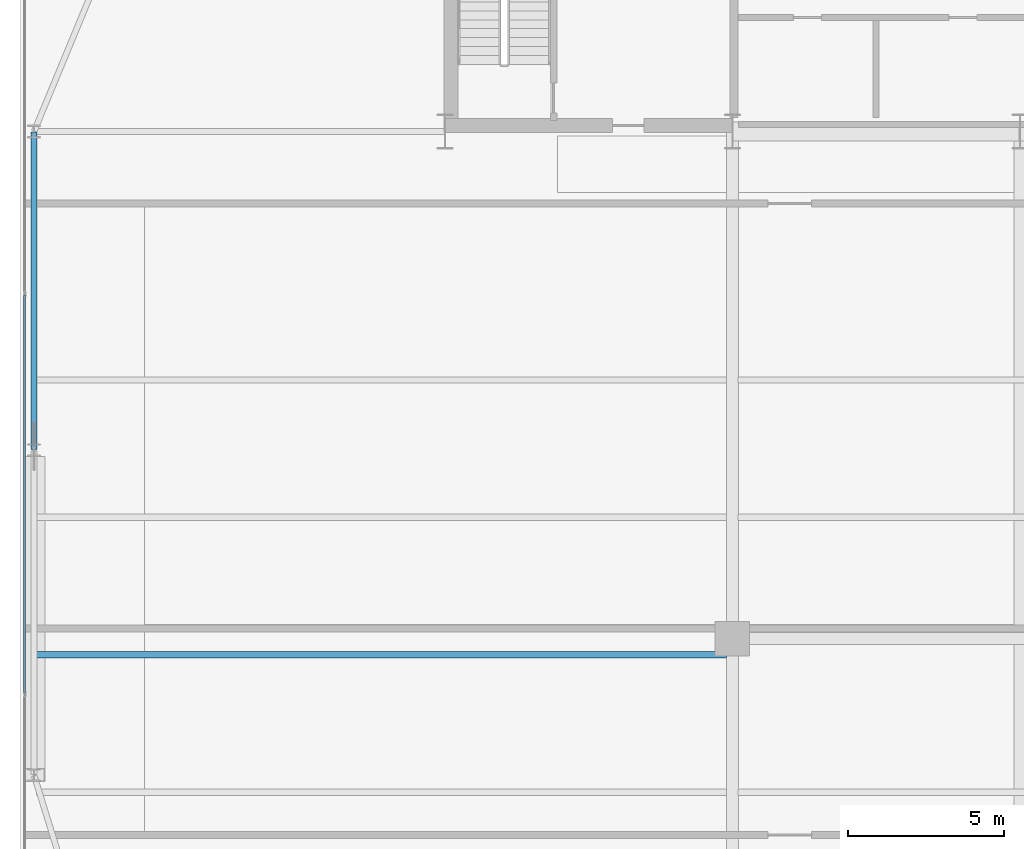
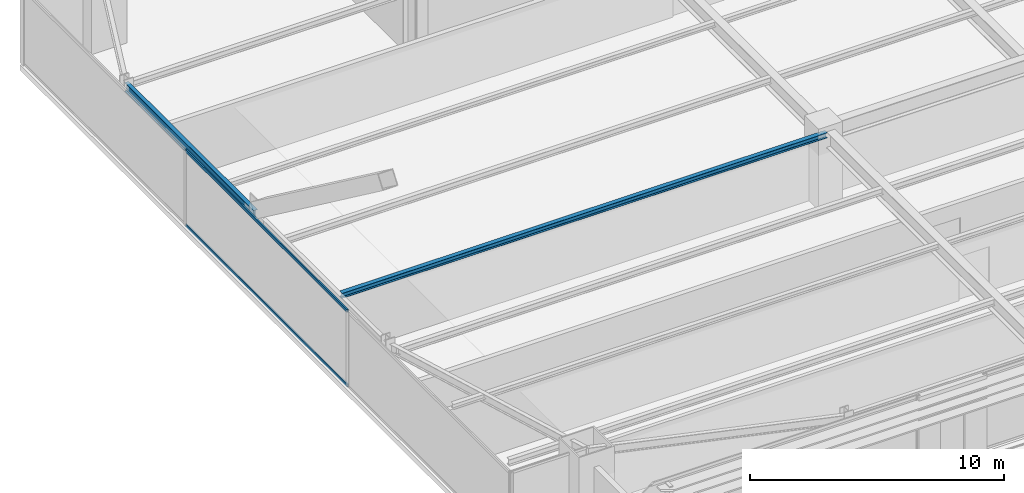
# One storey, part 9 of 34: 2 beams, 2 members, 1 element without a shape of its own.
"""IFC4 building model written with IfcOpenShell, lengths in metres."""

import ifcopenshell
import ifcopenshell.guid

model = None  # the IFC model being written
_history = None  # IfcOwnerHistory: only IFC2X3 demands one
_inside = {}  # id of a spatial element -> (the spatial element, [elements in it])
_under = {}  # id of a project, library or spatial element -> (it, [spatial elements below it])
_declared = {}  # id of a project -> (the project, [libraries it declares])
_typed = {}  # id of a type object -> (the type object, [elements of that type])
_made_of = {}  # id of a material, layer set ... -> (it, [elements and type objects made of it])


def new_model(schema):
    """Start an empty IFC model of exactly this schema.

    Asked for "IFC4X3", IfcOpenShell would pick the latest addendum, in which some entities
    have other attributes; the version numbers below select the first issue.
    IFC2X3 requires an IfcOwnerHistory on every rooted entity: one is made here for all.
    """
    global model, _history
    if schema == "IFC4X3":
        model = ifcopenshell.file(schema_version=(4, 3, 0, 0))
    else:
        model = ifcopenshell.file(schema=schema)
    _inside.clear()
    _under.clear()
    _declared.clear()
    _typed.clear()
    _made_of.clear()
    _history = None
    if model.schema == "IFC2X3":
        org = make("IfcOrganization", Name="unknown")
        user = make(
            "IfcPersonAndOrganization",
            ThePerson=make("IfcPerson", FamilyName="unknown"),
            TheOrganization=org,
        )
        app = make(
            "IfcApplication",
            ApplicationDeveloper=org,
            Version="unknown",
            ApplicationFullName="unknown",
            ApplicationIdentifier="unknown",
        )
        _history = make(
            "IfcOwnerHistory",
            OwningUser=user,
            OwningApplication=app,
            ChangeAction="ADDED",
            CreationDate=0,
        )
    return model


def make(cls, **values):
    """One entity of the class cls with the attributes given. An attribute that is None is left unset."""
    return model.create_entity(
        cls, **{name: value for name, value in values.items() if value is not None}
    )


def rooted(cls, **values):
    """An entity with a GlobalId (a new one), such as an element, a storey or a relation."""
    return make(cls, GlobalId=ifcopenshell.guid.new(), OwnerHistory=_history, **values)


def si_unit(unit_type, name, prefix=None):
    """IfcSIUnit, for example si_unit("LENGTHUNIT", "METRE", prefix="MILLI")."""
    return make("IfcSIUnit", UnitType=unit_type, Prefix=prefix, Name=name)


def assignment(units):
    """IfcUnitAssignment: the units of a project."""
    return None if units is None else make("IfcUnitAssignment", Units=units)


def point(xyz):
    """IfcCartesianPoint."""
    return None if xyz is None else make("IfcCartesianPoint", Coordinates=xyz)


def direction(xyz):
    """IfcDirection."""
    return None if xyz is None else make("IfcDirection", DirectionRatios=xyz)


def frame(location, z_axis=None, x_axis=None):
    """IfcAxis2Placement3D, a coordinate frame: its origin and axes. An axis left out is left unset."""
    return make(
        "IfcAxis2Placement3D",
        Location=point(location),
        Axis=direction(z_axis),
        RefDirection=direction(x_axis),
    )


def frame_2d(location, x_axis=None):
    """IfcAxis2Placement2D, a coordinate frame in the plane: its origin and x axis."""
    return make(
        "IfcAxis2Placement2D", Location=point(location), RefDirection=direction(x_axis)
    )


def origin():
    """The frame at (0, 0, 0) with its axes left unset."""
    return frame((0.0, 0.0, 0.0))


def origin_2d():
    """The frame at (0, 0) in the plane with its x axis left unset."""
    return frame_2d((0.0, 0.0))


def place(relative_to, where):
    """IfcLocalPlacement: puts the frame where relative to a parent placement (None: the world)."""
    return make(
        "IfcLocalPlacement", PlacementRelTo=relative_to, RelativePlacement=where
    )


def context(
    kind, dimensions, precision=None, world=None, true_north=None, identifier=None
):
    """IfcGeometricRepresentationContext, for example the 3D "Model" context."""
    return make(
        "IfcGeometricRepresentationContext",
        ContextIdentifier=identifier,
        ContextType=kind,
        CoordinateSpaceDimension=dimensions,
        Precision=precision,
        WorldCoordinateSystem=world,
        TrueNorth=true_north,
    )


def subcontext(parent, identifier, kind, view, scale=None):
    """IfcGeometricRepresentationSubContext, for example "Body" below "Model"."""
    return make(
        "IfcGeometricRepresentationSubContext",
        ContextIdentifier=identifier,
        ContextType=kind,
        ParentContext=parent,
        TargetScale=scale,
        TargetView=view,
    )


def project(units=None, contexts=None):
    """IfcProject with its units and contexts."""
    return rooted(
        "IfcProject",
        Name="project",
        RepresentationContexts=contexts,
        UnitsInContext=assignment(units),
    )


def spatial(cls, under=None, at=None, **own):
    """A site, building, storey or space (cls), placed at a placement, below another one or the project."""
    s = rooted(cls, ObjectPlacement=at, **own)
    if under is not None:
        _under.setdefault(under.id(), (under, []))[1].append(s)
    return s


def profile(cls, at=None, kind="AREA", **sizes):
    """A parametric profile (cls). Its sizes go by their IFC names, for example OverallWidth=200.0."""
    return make(cls, ProfileType=kind, Position=at, **sizes)


def hollow_rectangle(**sizes):
    """IfcRectangleHollowProfileDef."""
    return profile("IfcRectangleHollowProfileDef", **sizes)


def i_section(**sizes):
    """IfcIShapeProfileDef."""
    return profile("IfcIShapeProfileDef", **sizes)


def extrude(swept, where, along, depth):
    """IfcExtrudedAreaSolid: the profile swept, set in the frame where, extruded along a direction by depth."""
    return make(
        "IfcExtrudedAreaSolid",
        SweptArea=swept,
        Position=where,
        ExtrudedDirection=direction(along),
        Depth=depth,
    )


def shape(context_of_items, identifier, shape_type, items):
    """IfcShapeRepresentation: the items that make up one representation, for example the "Body"."""
    return make(
        "IfcShapeRepresentation",
        ContextOfItems=context_of_items,
        RepresentationIdentifier=identifier,
        RepresentationType=shape_type,
        Items=items,
    )


def source(mapping_origin, context_of_items, identifier, shape_type, items):
    """IfcRepresentationMap: a shape defined once, which mapped items show again and again."""
    return make(
        "IfcRepresentationMap",
        MappingOrigin=mapping_origin,
        MappedRepresentation=shape(context_of_items, identifier, shape_type, items),
    )


def transform(
    local_origin,
    x_axis=None,
    y_axis=None,
    z_axis=None,
    scale=None,
    scale2=None,
    scale3=None,
    uniform=True,
):
    """IfcCartesianTransformationOperator3D, or its non-uniform kind. x_axis, y_axis, z_axis: its Axis1, 2, 3."""
    if uniform:
        return make(
            "IfcCartesianTransformationOperator3D",
            Axis1=direction(x_axis),
            Axis2=direction(y_axis),
            LocalOrigin=point(local_origin),
            Scale=scale,
            Axis3=direction(z_axis),
        )
    return make(
        "IfcCartesianTransformationOperator3DnonUniform",
        Axis1=direction(x_axis),
        Axis2=direction(y_axis),
        LocalOrigin=point(local_origin),
        Scale=scale,
        Axis3=direction(z_axis),
        Scale2=scale2,
        Scale3=scale3,
    )


def mapped(mapping_source, mapping_target):
    """IfcMappedItem: shows the shape of a source again, moved by a transform."""
    return make(
        "IfcMappedItem", MappingSource=mapping_source, MappingTarget=mapping_target
    )


def material(Name=None, Category=None):
    """IfcMaterial."""
    return make("IfcMaterial", Name=Name, Category=Category)


def layer(
    of_material, thickness, ventilated=None, Name=None, Category=None, Priority=None
):
    """IfcMaterialLayer: one layer of a wall or slab, of a material (None: an air gap)."""
    return make(
        "IfcMaterialLayer",
        Material=of_material,
        LayerThickness=thickness,
        IsVentilated=ventilated,
        Name=Name,
        Category=Category,
        Priority=Priority,
    )


def layer_set(layers, Name=None):
    """IfcMaterialLayerSet."""
    return make("IfcMaterialLayerSet", MaterialLayers=layers, LayerSetName=Name)


def material_profile(
    of_material, cross_section, Name=None, Category=None, Priority=None
):
    """IfcMaterialProfile: a cross section and its material."""
    return make(
        "IfcMaterialProfile",
        Name=Name,
        Material=of_material,
        Profile=cross_section,
        Priority=Priority,
        Category=Category,
    )


def profile_set(profiles, Name=None, composite=None):
    """IfcMaterialProfileSet."""
    return make(
        "IfcMaterialProfileSet",
        Name=Name,
        MaterialProfiles=profiles,
        CompositeProfile=composite,
    )


def made_of(thing, what):
    """Note that an element or type object is made of a material, layer set ...; save() writes the relation."""
    if what is not None:
        _made_of.setdefault(what.id(), (what, []))[1].append(thing)
    return thing


def type_object(cls, material=None, **own):
    """A type object (cls), such as IfcWallType, which elements share."""
    return made_of(rooted(cls, **own), material)


def type_shapes(of_type, sources):
    """Give a type object the sources (RepresentationMaps) that its elements show as mapped items."""
    of_type.RepresentationMaps = sources


def element(
    cls,
    number,
    at=None,
    inside=None,
    cuts=None,
    type_object=None,
    material=None,
    context=None,
    identifier="Body",
    shape_type=None,
    held_by="IfcProductDefinitionShape",
    body=None,
    shapes=None,
    **own,
):
    """One element of the class cls, such as IfcWall. Its Tag is "e" and its number.

    at: its placement. inside: the storey or other place that contains it. cuts: it is an
    opening in that element (IfcRelVoidsElement). A single representation is given by context,
    identifier, shape_type and body (its items); several are given by shapes. held_by: the class
    of the entity that holds the representations. save() writes the other relations.
    """
    e = rooted(cls, Tag="e%d" % number, ObjectPlacement=at, **own)
    if body is not None:
        shapes = [shape(context, identifier, shape_type, body)]
    if shapes is not None:
        e.Representation = make(held_by, Representations=shapes)
    if inside is not None:
        _inside.setdefault(inside.id(), (inside, []))[1].append(e)
    if cuts is not None:
        rooted(
            "IfcRelVoidsElement", RelatingBuildingElement=cuts, RelatedOpeningElement=e
        )
    if type_object is not None:
        _typed.setdefault(type_object.id(), (type_object, []))[1].append(e)
    return made_of(e, material)


def aggregate(whole, parts):
    """IfcRelAggregates: a whole, such as a stair, and the parts it consists of."""
    return rooted("IfcRelAggregates", RelatingObject=whole, RelatedObjects=parts)


def save(model, path):
    """Write the relations noted so far, then the file.

    IfcRelAggregates (storeys below a building ...), IfcRelContainedInSpatialStructure (elements
    in a storey), IfcRelDefinesByType, IfcRelAssociatesMaterial and IfcRelDeclares: one each for
    every whole, place, type object, material and project.
    """
    for whole, parts in _under.values():
        aggregate(whole, parts)
    for where, things in _inside.values():
        rooted(
            "IfcRelContainedInSpatialStructure",
            RelatedElements=things,
            RelatingStructure=where,
        )
    for kind, things in _typed.values():
        rooted("IfcRelDefinesByType", RelatedObjects=things, RelatingType=kind)
    for what, things in _made_of.values():
        rooted("IfcRelAssociatesMaterial", RelatedObjects=things, RelatingMaterial=what)
    for by, libraries in _declared.values():
        rooted("IfcRelDeclares", RelatingContext=by, RelatedDefinitions=libraries)
    model.write(path)


model = new_model("IFC4")

# Units and contexts
model_context = context("Model", 3, precision=1e-05, world=origin(), true_north=direction((0.0, 1.0)))
body_context = subcontext(model_context, "Body", "Model", "MODEL_VIEW")
ifc_project = project(units=[si_unit("LENGTHUNIT", "METRE"), si_unit("AREAUNIT", "SQUARE_METRE"), si_unit("VOLUMEUNIT", "CUBIC_METRE"), si_unit("PLANEANGLEUNIT", "RADIAN"), si_unit("MASSUNIT", "GRAM", prefix="KILO")], contexts=[model_context])

# Site, building, storey
site_placement = place(None, origin())
site = spatial("IfcSite", under=ifc_project, at=site_placement, CompositionType="ELEMENT")
building_placement = place(site_placement, origin())
building = spatial("IfcBuilding", under=site, at=building_placement, Name="Varnel Quay Broadcast Tower", CompositionType="ELEMENT")
storey_placement = place(building_placement, frame((0.0, 0.0, 47.10009765625)))
storey = spatial("IfcBuildingStorey", under=building, at=storey_placement, Name="L10", CompositionType="ELEMENT", Elevation=47.10009765625)

# Beams
ifc_material_1 = material(Name="Structural Steel CSA G40.21 350W", Category="steel")
ifc_material_profile_1 = material_profile(ifc_material_1, i_section(OverallWidth=0.180908203125, OverallDepth=0.4169921875, WebThickness=0.010986328125, FlangeThickness=0.018310546875, FilletRadius=0.011962890625, at=origin_2d()), Name="W410X85")
ifc_profile_set_1 = profile_set([ifc_material_profile_1], Name="Structural Steel CSA G40.21 350W")
beam_type_1 = type_object("IfcBeamType", Name="Beam_W410X85", PredefinedType="SPANDREL", material=ifc_profile_set_1)
shared_shape_1 = source(origin(), body_context, "Body", "SweptSolid", [
    extrude(i_section(OverallWidth=0.180908203125, OverallDepth=0.4169921875, WebThickness=0.010986328125, FlangeThickness=0.018310546875, FilletRadius=0.011962890625, at=origin_2d()), origin(), (0.0, 0.0, 1.0), 10.16015625),
])
type_shapes(beam_type_1, [shared_shape_1])
beam_1_placement = place(storey_placement, frame((2.449951171875, 25.419921875, 3.44140625), z_axis=(0.0, 1.0, 0.0), x_axis=(-1.0, 0.0, 0.0)))
element("IfcBeam", 1, at=beam_1_placement, inside=storey, type_object=beam_type_1, Name="L10 West Spandrel TC-W2-TC-W3", PredefinedType="SPANDREL", context=body_context, shape_type="MappedRepresentation", body=[
    mapped(shared_shape_1, transform((0.0, 0.0, 0.0), x_axis=(1.0, 0.0, 0.0), y_axis=(0.0, 1.0, 0.0), z_axis=(0.0, 0.0, 1.0), scale=1.0)),
])
ifc_material_profile_2 = material_profile(ifc_material_1, i_section(OverallWidth=0.201904296875, OverallDepth=0.2470703125, WebThickness=0.00732421875, FlangeThickness=0.010986328125, FilletRadius=0.010986328125, at=origin_2d()), Name="W250X49")
ifc_profile_set_2 = profile_set([ifc_material_profile_2], Name="Structural Steel CSA G40.21 350W")
beam_type_2 = type_object("IfcBeamType", Name="Beam_W250X49", PredefinedType="JOIST", material=ifc_profile_set_2)
shared_shape_2 = source(origin(), body_context, "Body", "SweptSolid", [
    extrude(i_section(OverallWidth=0.201904296875, OverallDepth=0.2470703125, WebThickness=0.00732421875, FlangeThickness=0.010986328125, FilletRadius=0.010986328125, at=origin_2d()), origin(), (0.0, 0.0, 1.0), 22.0791015625),
])
type_shapes(beam_type_2, [shared_shape_2])
beam_2_placement = place(storey_placement, frame((2.535400390625, 18.85009765625, 3.5263671875), z_axis=(1.0, 0.0, 0.0), x_axis=(0.0, 1.0, 0.0)))
element("IfcBeam", 2, at=beam_2_placement, inside=storey, type_object=beam_type_2, Name="L10 West Floor Joist 4", PredefinedType="JOIST", context=body_context, shape_type="MappedRepresentation", body=[
    mapped(shared_shape_2, transform((0.0, 0.0, 0.0), x_axis=(1.0, 0.0, 0.0), y_axis=(0.0, 1.0, 0.0), z_axis=(0.0, 0.0, 1.0), scale=1.0)),
])

# Curtain wall, members
ifc_material_2 = material(Name="Anodised Bronze Aluminium 6063-T6", Category="aluminium")
ifc_layer = layer(ifc_material_2, 0.18994140625, Name="Anodised Bronze Aluminium 6063-T6")
ifc_layer_set = layer_set([ifc_layer], Name="Anodised Bronze Aluminium 6063-T6")
curtain_wall_type = type_object("IfcCurtainWallType", Name="CW_LowerTower", PredefinedType="NOTDEFINED", material=ifc_layer_set)
curtain_wall_placement = place(storey_placement, origin())
curtain_wall = element("IfcCurtainWall", 3, at=curtain_wall_placement, inside=storey, type_object=curtain_wall_type, Name="L10 West Unitised Curtain Wall", PredefinedType="NOTDEFINED")
ifc_material_profile_3 = material_profile(ifc_material_2, hollow_rectangle(XDim=0.06005859375, YDim=0.14501953125, WallThickness=0.00341796875, at=origin_2d()), Name="ALU60X145X3.5")
ifc_profile_set_3 = profile_set([ifc_material_profile_3], Name="Anodised Bronze Aluminium 6063-T6")
member_type = type_object("IfcMemberType", Name="Tran_CWS-02", PredefinedType="USERDEFINED", material=ifc_profile_set_3)
shared_shape_3 = source(origin(), body_context, "Body", "SweptSolid", [
    extrude(hollow_rectangle(XDim=0.06005859375, YDim=0.14501953125, WallThickness=0.00341796875, at=origin_2d()), origin(), (0.0, 0.0, 1.0), 12.72998046875),
])
type_shapes(member_type, [shared_shape_3])
member_1_placement = place(storey_placement, frame((2.14990234375, 17.635009765625, 0.02978515625), z_axis=(0.0, 1.0, 0.0), x_axis=(-1.0, 0.0, 0.0)))
member_1 = element("IfcMember", 4, at=member_1_placement, type_object=member_type, Name="CWS-02 transom 2.1", ObjectType="TRANSOM", PredefinedType="USERDEFINED", context=body_context, shape_type="MappedRepresentation", body=[
    mapped(shared_shape_3, transform((0.0, 0.0, 0.0), x_axis=(1.0, 0.0, 0.0), y_axis=(0.0, 1.0, 0.0), z_axis=(0.0, 0.0, 1.0), scale=1.0)),
])
member_2_placement = place(storey_placement, frame((2.14990234375, 17.635009765625, 3.619873046875), z_axis=(0.0, 1.0, 0.0), x_axis=(-1.0, 0.0, 0.0)))
member_2 = element("IfcMember", 5, at=member_2_placement, type_object=member_type, Name="CWS-02 transom 2.2", ObjectType="TRANSOM", PredefinedType="USERDEFINED", context=body_context, shape_type="MappedRepresentation", body=[
    mapped(shared_shape_3, transform((0.0, 0.0, 0.0), x_axis=(1.0, 0.0, 0.0), y_axis=(0.0, 1.0, 0.0), z_axis=(0.0, 0.0, 1.0), scale=1.0)),
])
aggregate(curtain_wall, [member_1, member_2])

save(model, "model.ifc")
